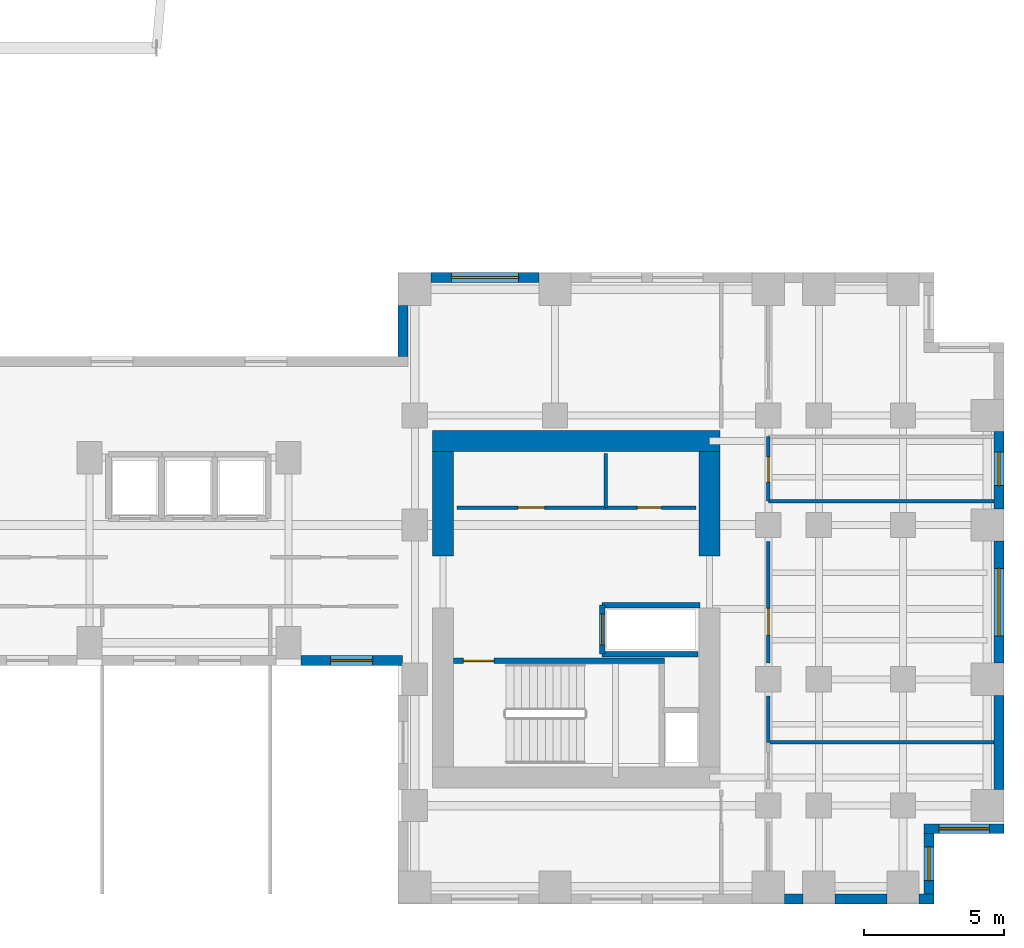
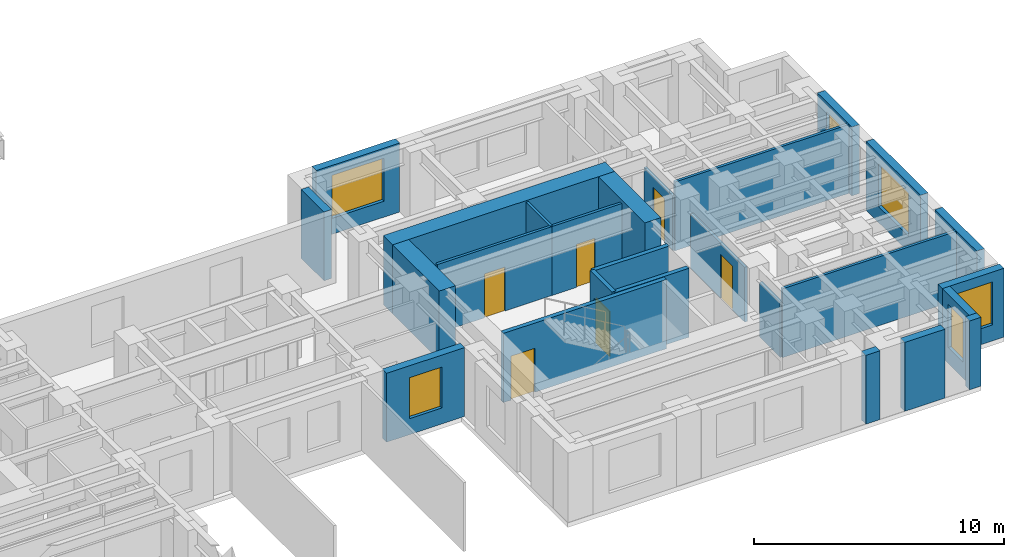
# One storey, part 9 of 13: 26 walls, 6 doors, 6 windows, 12 openings.
"""IFC4 building model written with IfcOpenShell, lengths in metres."""

from ifc_helpers import new_model, si_unit, direction, frame, frame_2d, origin, place, context, subcontext, project, spatial, rectangle, extrude, source, transform, mapped, material, layer, layer_set, type_object, element, fill, save


model = new_model("IFC4")

# Units and contexts
model_context = context("Model", 3, precision=1e-05, world=origin(), true_north=direction((0.0, 1.0)))
body_context = subcontext(model_context, "Body", "Model", "MODEL_VIEW")
ifc_project = project(units=[si_unit("LENGTHUNIT", "METRE"), si_unit("AREAUNIT", "SQUARE_METRE"), si_unit("VOLUMEUNIT", "CUBIC_METRE"), si_unit("PLANEANGLEUNIT", "RADIAN"), si_unit("MASSUNIT", "GRAM", prefix="KILO")], contexts=[model_context])

# Site, building, storey
site_placement = place(None, origin())
site = spatial("IfcSite", under=ifc_project, at=site_placement, CompositionType="ELEMENT")
building_placement = place(site_placement, origin())
building = spatial("IfcBuilding", under=site, at=building_placement, Name="Kharzan Plaza Tower", CompositionType="ELEMENT")
storey_placement = place(building_placement, frame((0.0, 0.0, 109.800048828125)))
storey = spatial("IfcBuildingStorey", under=building, at=storey_placement, Name="L29", CompositionType="ELEMENT", Elevation=109.800048828125)

# Wall, opening, window
ifc_material_1 = material(Name="Concrete C40/50", Category="concrete")
ifc_layer_1 = layer(ifc_material_1, 0.35009765625)
ifc_layer_set_1 = layer_set([ifc_layer_1], Name="Concrete C40/50")
wall_type_1 = type_object("IfcWallType", Name="WL-EXT-MAS-Z2", PredefinedType="SOLIDWALL", material=ifc_layer_set_1)
wall_1_placement = place(storey_placement, frame((30.947998046875, 8.675048828125, 0.0), z_axis=(0.0, 0.0, 1.0), x_axis=(1.0, 0.0, 0.0)))
wall_1 = element("IfcWall", 1, at=wall_1_placement, inside=storey, type_object=wall_type_1, Name="L29 Masonry-Frame Exterior Wall 36", PredefinedType="SOLIDWALL", context=body_context, shape_type="SweptSolid", body=[
    extrude(rectangle(XDim=3.60400390625, YDim=0.35009765625, at=frame_2d((1.802001953125, 0.0))), origin(), (0.0, 0.0, 1.0), 3.364990234375),
])
opening_1_placement = place(wall_1_placement, frame((1.052001953125, 0.0, 0.780029296875)))
opening_1 = element("IfcOpeningElement", 2, at=opening_1_placement, cuts=wall_1, Name="Opening W5", PredefinedType="OPENING", context=body_context, shape_type="SweptSolid", body=[
    extrude(rectangle(XDim=1.5, YDim=2.0, at=frame_2d((0.75, 1.0))), frame((0.0, 0.18505859375, 0.0), z_axis=(0.0, -1.0, 0.0), x_axis=(1.0, 0.0, 0.0)), (0.0, 0.0, 1.0), 0.3701171875),
])
ifc_material_2 = material(Name="Low-E Double Glazing", Category="glass")
window_type_1 = type_object("IfcWindowType", Name="WN-SLT-1500x2000", PartitioningType="SINGLE_PANEL", PredefinedType="WINDOW", material=ifc_material_2)
shared_shape_1 = source(origin(), body_context, "Body", "SweptSolid", [
    extrude(rectangle(XDim=1.5, YDim=2.0, at=frame_2d((0.75, 1.0))), frame((0.0, 0.030029296875, 0.0), z_axis=(0.0, -1.0, 0.0), x_axis=(1.0, 0.0, 0.0)), (0.0, 0.0, 1.0), 0.06005859375),
])
window_1_placement = place(opening_1_placement, origin())
window_1 = element("IfcWindow", 3, at=window_1_placement, inside=storey, type_object=window_type_1, Name="L29 Recessed Solar-Control Window 36-1", OverallHeight=2.0, OverallWidth=1.5, PartitioningType="SINGLE_PANEL", PredefinedType="WINDOW", context=body_context, shape_type="MappedRepresentation", body=[
    mapped(shared_shape_1, transform((0.0, 0.0, 0.0), x_axis=(1.0, 0.0, 0.0), y_axis=(0.0, 1.0, 0.0), z_axis=(0.0, 0.0, 1.0))),
])
fill(opening_1, window_1)

wall_2_placement = place(storey_placement, frame((53.324951171875, 0.347900390625, 0.0), z_axis=(0.0, 0.0, 1.0), x_axis=(0.0, 1.0, 0.0)))
wall_2 = element("IfcWall", 4, at=wall_2_placement, inside=storey, type_object=wall_type_1, Name="L29 Masonry-Frame Exterior Wall 44", PredefinedType="SOLIDWALL", context=body_context, shape_type="SweptSolid", body=[
    extrude(rectangle(XDim=2.154052734375, YDim=0.35009765625, at=frame_2d((1.0771484375, 0.0))), origin(), (0.0, 0.0, 1.0), 3.364990234375),
])
opening_2_placement = place(wall_2_placement, frame((0.47705078125, 0.0, 0.780029296875)))
opening_2 = element("IfcOpeningElement", 5, at=opening_2_placement, cuts=wall_2, Name="Opening W3", PredefinedType="OPENING", context=body_context, shape_type="SweptSolid", body=[
    extrude(rectangle(XDim=1.199951171875, YDim=2.10009765625, at=frame_2d((0.60009765625, 1.050048828125))), frame((0.0, 0.18505859375, 0.0), z_axis=(0.0, -1.0, 0.0), x_axis=(1.0, 0.0, 0.0)), (0.0, 0.0, 1.0), 0.3701171875),
])
window_type_2 = type_object("IfcWindowType", Name="WN-REC-1200x2100", PartitioningType="SINGLE_PANEL", PredefinedType="WINDOW", material=ifc_material_2)
shared_shape_2 = source(origin(), body_context, "Body", "SweptSolid", [
    extrude(rectangle(XDim=1.199951171875, YDim=2.10009765625, at=frame_2d((0.60009765625, 1.050048828125))), frame((0.0, 0.030029296875, 0.0), z_axis=(0.0, -1.0, 0.0), x_axis=(1.0, 0.0, 0.0)), (0.0, 0.0, 1.0), 0.06005859375),
])
window_2_placement = place(opening_2_placement, origin())
window_2 = element("IfcWindow", 6, at=window_2_placement, inside=storey, type_object=window_type_2, Name="L29 Recessed Solar-Control Window 44-1", OverallHeight=2.10009765625, OverallWidth=1.199951171875, PartitioningType="SINGLE_PANEL", PredefinedType="WINDOW", context=body_context, shape_type="MappedRepresentation", body=[
    mapped(shared_shape_2, transform((0.0, 0.0, 0.0), x_axis=(1.0, 0.0, 0.0), y_axis=(0.0, 1.0, 0.0), z_axis=(0.0, 0.0, 1.0))),
])
fill(opening_2, window_2)

wall_3_placement = place(storey_placement, frame((53.14990234375, 2.675048828125, 0.0), z_axis=(0.0, 0.0, 1.0), x_axis=(1.0, 0.0, 0.0)))
wall_3 = element("IfcWall", 7, at=wall_3_placement, inside=storey, type_object=wall_type_1, Name="L29 Masonry-Frame Exterior Wall 45", PredefinedType="SOLIDWALL", context=body_context, shape_type="SweptSolid", body=[
    extrude(rectangle(XDim=2.85009765625, YDim=0.35009765625, at=frame_2d((1.425048828125, 0.0))), origin(), (0.0, 0.0, 1.0), 3.364990234375),
])
opening_3_placement = place(wall_3_placement, frame((0.52490234375, 0.0, 0.780029296875)))
opening_3 = element("IfcOpeningElement", 8, at=opening_3_placement, cuts=wall_3, Name="Opening W1", PredefinedType="OPENING", context=body_context, shape_type="SweptSolid", body=[
    extrude(rectangle(XDim=1.800048828125, YDim=2.10009765625, at=frame_2d((0.89990234375, 1.050048828125))), frame((0.0, 0.18505859375, 0.0), z_axis=(0.0, -1.0, 0.0), x_axis=(1.0, 0.0, 0.0)), (0.0, 0.0, 1.0), 0.3701171875),
])
window_type_3 = type_object("IfcWindowType", Name="WN-REC-1800x2100", PartitioningType="SINGLE_PANEL", PredefinedType="WINDOW", material=ifc_material_2)
shared_shape_3 = source(origin(), body_context, "Body", "SweptSolid", [
    extrude(rectangle(XDim=1.800048828125, YDim=2.10009765625, at=frame_2d((0.89990234375, 1.050048828125))), frame((0.0, 0.030029296875, 0.0), z_axis=(0.0, -1.0, 0.0), x_axis=(1.0, 0.0, 0.0)), (0.0, 0.0, 1.0), 0.06005859375),
])
window_3_placement = place(opening_3_placement, origin())
window_3 = element("IfcWindow", 9, at=window_3_placement, inside=storey, type_object=window_type_3, Name="L29 Recessed Solar-Control Window 45-1", OverallHeight=2.10009765625, OverallWidth=1.800048828125, PartitioningType="SINGLE_PANEL", PredefinedType="WINDOW", context=body_context, shape_type="MappedRepresentation", body=[
    mapped(shared_shape_3, transform((0.0, 0.0, 0.0), x_axis=(1.0, 0.0, 0.0), y_axis=(0.0, 1.0, 0.0), z_axis=(0.0, 0.0, 1.0))),
])
fill(opening_3, window_3)

wall_4_placement = place(storey_placement, frame((55.824951171875, 8.572998046875, 0.0), z_axis=(0.0, 0.0, 1.0), x_axis=(0.0, 1.0, 0.0)))
wall_4 = element("IfcWall", 10, at=wall_4_placement, inside=storey, type_object=wall_type_1, Name="L29 Masonry-Frame Exterior Wall 47", PredefinedType="SOLIDWALL", context=body_context, shape_type="SweptSolid", body=[
    extrude(rectangle(XDim=4.35400390625, YDim=0.35009765625, at=frame_2d((2.177001953125, 0.0))), origin(), (0.0, 0.0, 1.0), 3.364990234375),
])
opening_4_placement = place(wall_4_placement, frame((0.97705078125, 0.0, 0.780029296875)))
opening_4 = element("IfcOpeningElement", 11, at=opening_4_placement, cuts=wall_4, Name="Opening W2", PredefinedType="OPENING", context=body_context, shape_type="SweptSolid", body=[
    extrude(rectangle(XDim=2.39990234375, YDim=2.10009765625, at=frame_2d((1.199951171875, 1.050048828125))), frame((0.0, 0.18505859375, 0.0), z_axis=(0.0, -1.0, 0.0), x_axis=(1.0, 0.0, 0.0)), (0.0, 0.0, 1.0), 0.3701171875),
])
window_type_4 = type_object("IfcWindowType", Name="WN-REC-2400x2100", PartitioningType="SINGLE_PANEL", PredefinedType="WINDOW", material=ifc_material_2)
shared_shape_4 = source(origin(), body_context, "Body", "SweptSolid", [
    extrude(rectangle(XDim=2.39990234375, YDim=2.10009765625, at=frame_2d((1.199951171875, 1.050048828125))), frame((0.0, 0.030029296875, 0.0), z_axis=(0.0, -1.0, 0.0), x_axis=(1.0, 0.0, 0.0)), (0.0, 0.0, 1.0), 0.06005859375),
])
window_4_placement = place(opening_4_placement, origin())
window_4 = element("IfcWindow", 12, at=window_4_placement, inside=storey, type_object=window_type_4, Name="L29 Wide Recessed Solar-Control Window 47-1", OverallHeight=2.10009765625, OverallWidth=2.39990234375, PartitioningType="SINGLE_PANEL", PredefinedType="WINDOW", context=body_context, shape_type="MappedRepresentation", body=[
    mapped(shared_shape_4, transform((0.0, 0.0, 0.0), x_axis=(1.0, 0.0, 0.0), y_axis=(0.0, 1.0, 0.0), z_axis=(0.0, 0.0, 1.0))),
])
fill(opening_4, window_4)

wall_5_placement = place(storey_placement, frame((55.824951171875, 14.072998046875, 0.0), z_axis=(0.0, 0.0, 1.0), x_axis=(0.0, 1.0, 0.0)))
wall_5 = element("IfcWall", 13, at=wall_5_placement, inside=storey, type_object=wall_type_1, Name="L29 Masonry-Frame Exterior Wall 48", PredefinedType="SOLIDWALL", context=body_context, shape_type="SweptSolid", body=[
    extrude(rectangle(XDim=2.75390625, YDim=0.35009765625, at=frame_2d((1.376953125, 0.0))), origin(), (0.0, 0.0, 1.0), 3.364990234375),
])
opening_5_placement = place(wall_5_placement, frame((0.826904296875, 0.0, 0.780029296875)))
opening_5 = element("IfcOpeningElement", 14, at=opening_5_placement, cuts=wall_5, Name="Opening W3", PredefinedType="OPENING", context=body_context, shape_type="SweptSolid", body=[
    extrude(rectangle(XDim=1.199951171875, YDim=2.10009765625, at=frame_2d((0.60009765625, 1.050048828125))), frame((0.0, 0.18505859375, 0.0), z_axis=(0.0, -1.0, 0.0), x_axis=(1.0, 0.0, 0.0)), (0.0, 0.0, 1.0), 0.3701171875),
])
window_5_placement = place(opening_5_placement, origin())
window_5 = element("IfcWindow", 15, at=window_5_placement, inside=storey, type_object=window_type_2, Name="L29 Recessed Solar-Control Window 48-1", OverallHeight=2.10009765625, OverallWidth=1.199951171875, PartitioningType="SINGLE_PANEL", PredefinedType="WINDOW", context=body_context, shape_type="MappedRepresentation", body=[
    mapped(shared_shape_2, transform((0.0, 0.0, 0.0), x_axis=(1.0, 0.0, 0.0), y_axis=(0.0, 1.0, 0.0), z_axis=(0.0, 0.0, 1.0))),
])
fill(opening_5, window_5)

wall_6_placement = place(storey_placement, frame((39.427001953125, 22.324951171875, 0.0), z_axis=(0.0, 0.0, 1.0), x_axis=(-1.0, 0.0, 0.0)))
wall_6 = element("IfcWall", 16, at=wall_6_placement, inside=storey, type_object=wall_type_1, Name="L29 Masonry-Frame Exterior Wall 56", PredefinedType="SOLIDWALL", context=body_context, shape_type="SweptSolid", body=[
    extrude(rectangle(XDim=3.85400390625, YDim=0.35009765625, at=frame_2d((1.927001953125, 0.0))), origin(), (0.0, 0.0, 1.0), 3.364990234375),
])
opening_6_placement = place(wall_6_placement, frame((0.72705078125, 0.0, 0.780029296875)))
opening_6 = element("IfcOpeningElement", 17, at=opening_6_placement, cuts=wall_6, Name="Opening W2", PredefinedType="OPENING", context=body_context, shape_type="SweptSolid", body=[
    extrude(rectangle(XDim=2.39990234375, YDim=2.10009765625, at=frame_2d((1.199951171875, 1.050048828125))), frame((0.0, 0.18505859375, 0.0), z_axis=(0.0, -1.0, 0.0), x_axis=(1.0, 0.0, 0.0)), (0.0, 0.0, 1.0), 0.3701171875),
])
window_6_placement = place(opening_6_placement, origin())
window_6 = element("IfcWindow", 18, at=window_6_placement, inside=storey, type_object=window_type_4, Name="L29 Wide Recessed Solar-Control Window 56-1", OverallHeight=2.10009765625, OverallWidth=2.39990234375, PartitioningType="SINGLE_PANEL", PredefinedType="WINDOW", context=body_context, shape_type="MappedRepresentation", body=[
    mapped(shared_shape_4, transform((0.0, 0.0, 0.0), x_axis=(1.0, 0.0, 0.0), y_axis=(0.0, 1.0, 0.0), z_axis=(0.0, 0.0, 1.0))),
])
fill(opening_6, window_6)

# Wall, opening, door
ifc_material_3 = material(Name="Fire-Rated Gypsum Board Partition", Category="gypsum")
ifc_layer_2 = layer(ifc_material_3, 0.125)
ifc_layer_set_2 = layer_set([ifc_layer_2], Name="Fire-Rated Gypsum Board Partition")
wall_type_2 = type_object("IfcWallType", Name="WL-INT-PART-125", PredefinedType="PARTITIONING", material=ifc_layer_set_2)
wall_7_placement = place(storey_placement, frame((36.5, 14.1201171875, 0.0), z_axis=(0.0, 0.0, 1.0), x_axis=(1.0, 0.0, 0.0)))
wall_7 = element("IfcWall", 19, at=wall_7_placement, inside=storey, type_object=wall_type_2, Name="L29 Interior Partition CB-RBLSA", PredefinedType="PARTITIONING", context=body_context, shape_type="SweptSolid", body=[
    extrude(rectangle(XDim=5.300048828125, YDim=0.125, at=frame_2d((2.64990234375, 0.0))), origin(), (0.0, 0.0, 1.0), 3.364990234375),
])
opening_7_placement = place(wall_7_placement, frame((2.175048828125, 0.0, 0.0)))
opening_7 = element("IfcOpeningElement", 20, at=opening_7_placement, cuts=wall_7, Name="Opening OD1", PredefinedType="OPENING", context=body_context, shape_type="SweptSolid", body=[
    extrude(rectangle(XDim=0.949951171875, YDim=2.14990234375, at=frame_2d((0.47509765625, 1.074951171875))), frame((0.0, 0.072509765625, 0.0), z_axis=(0.0, -1.0, 0.0), x_axis=(1.0, 0.0, 0.0)), (0.0, 0.0, 1.0), 0.14501953125),
])
ifc_material_4 = material(Name="Acoustic Solid-Core Stained Oak", Category="timber")
door_type_1 = type_object("IfcDoorType", Name="DR-OFF-SINGLE", OperationType="NOTDEFINED", PredefinedType="DOOR", material=ifc_material_4)
shared_shape_5 = source(origin(), body_context, "Body", "SweptSolid", [
    extrude(rectangle(XDim=0.949951171875, YDim=2.14990234375, at=frame_2d((0.47509765625, 1.074951171875))), frame((0.0, 0.02490234375, 0.0), z_axis=(0.0, -1.0, 0.0), x_axis=(1.0, 0.0, 0.0)), (0.0, 0.0, 1.0), 0.050048828125),
])
door_1_placement = place(opening_7_placement, origin())
door_1 = element("IfcDoor", 21, at=door_1_placement, inside=storey, type_object=door_type_1, Name="L29 Records Room Door", OperationType="SINGLE_SWING_LEFT", OverallHeight=2.14990234375, OverallWidth=0.949951171875, PredefinedType="DOOR", context=body_context, shape_type="MappedRepresentation", body=[
    mapped(shared_shape_5, transform((0.0, 0.0, 0.0), x_axis=(1.0, 0.0, 0.0), y_axis=(0.0, 1.0, 0.0), z_axis=(0.0, 0.0, 1.0))),
])
fill(opening_7, door_1)

wall_8_placement = place(storey_placement, frame((41.800048828125, 14.1201171875, 0.0), z_axis=(0.0, 0.0, 1.0), x_axis=(1.0, 0.0, 0.0)))
wall_8 = element("IfcWall", 22, at=wall_8_placement, inside=storey, type_object=wall_type_2, Name="L29 Interior Partition CB-RBLSB", PredefinedType="PARTITIONING", context=body_context, shape_type="SweptSolid", body=[
    extrude(rectangle(XDim=3.219970703125, YDim=0.125, at=frame_2d((1.60986328125, 0.0))), origin(), (0.0, 0.0, 1.0), 3.364990234375),
])
opening_8_placement = place(wall_8_placement, frame((1.135009765625, 0.0, 0.0)))
opening_8 = element("IfcOpeningElement", 23, at=opening_8_placement, cuts=wall_8, Name="Opening RD1", PredefinedType="OPENING", context=body_context, shape_type="SweptSolid", body=[
    extrude(rectangle(XDim=0.85009765625, YDim=2.10009765625, at=frame_2d((0.425048828125, 1.050048828125))), frame((0.0, 0.072509765625, 0.0), z_axis=(0.0, -1.0, 0.0), x_axis=(1.0, 0.0, 0.0)), (0.0, 0.0, 1.0), 0.14501953125),
])
ifc_material_5 = material(Name="Powder-Coated Fire-Rated Steel", Category="steel")
door_type_2 = type_object("IfcDoorType", Name="DR-RISER-900", OperationType="NOTDEFINED", PredefinedType="DOOR", material=ifc_material_5)
shared_shape_6 = source(origin(), body_context, "Body", "SweptSolid", [
    extrude(rectangle(XDim=0.85009765625, YDim=2.10009765625, at=frame_2d((0.425048828125, 1.050048828125))), frame((0.0, 0.02490234375, 0.0), z_axis=(0.0, -1.0, 0.0), x_axis=(1.0, 0.0, 0.0)), (0.0, 0.0, 1.0), 0.050048828125),
])
door_2_placement = place(opening_8_placement, origin())
door_2 = element("IfcDoor", 24, at=door_2_placement, inside=storey, type_object=door_type_2, Name="L29 Housekeeping Store Door", OperationType="SINGLE_SWING_RIGHT", OverallHeight=2.10009765625, OverallWidth=0.85009765625, PredefinedType="DOOR", context=body_context, shape_type="MappedRepresentation", body=[
    mapped(shared_shape_6, transform((0.0, 0.0, 0.0), x_axis=(1.0, 0.0, 0.0), y_axis=(0.0, 1.0, 0.0), z_axis=(0.0, 0.0, 1.0))),
])
fill(opening_8, door_2)

wall_9_placement = place(storey_placement, frame((47.60009765625, 8.590087890625, 0.0), z_axis=(0.0, 0.0, 1.0), x_axis=(0.0, 1.0, 0.0)))
wall_9 = element("IfcWall", 25, at=wall_9_placement, inside=storey, type_object=wall_type_2, Name="L29 Interior Partition SH-B3W1-S2", PredefinedType="PARTITIONING", context=body_context, shape_type="SweptSolid", body=[
    extrude(rectangle(XDim=4.31982421875, YDim=0.125, at=frame_2d((2.159912109375, 0.0))), origin(), (0.0, 0.0, 1.0), 2.677001953125),
])
opening_9_placement = place(wall_9_placement, frame((0.985107421875, 0.0, 0.0)))
opening_9 = element("IfcOpeningElement", 26, at=opening_9_placement, cuts=wall_9, Name="Opening OD1", PredefinedType="OPENING", context=body_context, shape_type="SweptSolid", body=[
    extrude(rectangle(XDim=0.949951171875, YDim=2.14990234375, at=frame_2d((0.47509765625, 1.074951171875))), frame((0.0, 0.072509765625, 0.0), z_axis=(0.0, -1.0, 0.0), x_axis=(1.0, 0.0, 0.0)), (0.0, 0.0, 1.0), 0.14501953125),
])
door_3_placement = place(opening_9_placement, origin())
door_3 = element("IfcDoor", 27, at=door_3_placement, inside=storey, type_object=door_type_1, Name="L29 Wing B Office 2 Door", OperationType="SINGLE_SWING_RIGHT", OverallHeight=2.14990234375, OverallWidth=0.949951171875, PredefinedType="DOOR", context=body_context, shape_type="MappedRepresentation", body=[
    mapped(shared_shape_5, transform((0.0, 0.0, 0.0), x_axis=(1.0, 0.0, 0.0), y_axis=(0.0, 1.0, 0.0), z_axis=(0.0, 0.0, 1.0))),
])
fill(opening_9, door_3)

wall_10_placement = place(storey_placement, frame((47.60009765625, 14.35009765625, 0.0), z_axis=(0.0, 0.0, 1.0), x_axis=(0.0, 1.0, 0.0)))
wall_10 = element("IfcWall", 28, at=wall_10_placement, inside=storey, type_object=wall_type_2, Name="L29 Interior Partition SH-B3WC", PredefinedType="PARTITIONING", context=body_context, shape_type="SweptSolid", body=[
    extrude(rectangle(XDim=2.2998046875, YDim=0.125, at=frame_2d((1.14990234375, 0.0))), origin(), (0.0, 0.0, 1.0), 2.677001953125),
])
opening_10_placement = place(wall_10_placement, frame((0.675048828125, 0.0, 0.0)))
opening_10 = element("IfcOpeningElement", 29, at=opening_10_placement, cuts=wall_10, Name="Opening WD1", PredefinedType="OPENING", context=body_context, shape_type="SweptSolid", body=[
    extrude(rectangle(XDim=0.89990234375, YDim=2.14990234375, at=frame_2d((0.449951171875, 1.074951171875))), frame((0.0, 0.072509765625, 0.0), z_axis=(0.0, -1.0, 0.0), x_axis=(1.0, 0.0, 0.0)), (0.0, 0.0, 1.0), 0.14501953125),
])
ifc_material_6 = material(Name="Moisture-Resistant Fire-Rated Laminate", Category="timber")
door_type_3 = type_object("IfcDoorType", Name="DR-WC-900", OperationType="NOTDEFINED", PredefinedType="DOOR", material=ifc_material_6)
shared_shape_7 = source(origin(), body_context, "Body", "SweptSolid", [
    extrude(rectangle(XDim=0.89990234375, YDim=2.14990234375, at=frame_2d((0.449951171875, 1.074951171875))), frame((0.0, 0.02490234375, 0.0), z_axis=(0.0, -1.0, 0.0), x_axis=(1.0, 0.0, 0.0)), (0.0, 0.0, 1.0), 0.050048828125),
])
door_4_placement = place(opening_10_placement, origin())
door_4 = element("IfcDoor", 30, at=door_4_placement, inside=storey, type_object=door_type_3, Name="L29 Wing B Washroom Door", OperationType="SINGLE_SWING_LEFT", OverallHeight=2.14990234375, OverallWidth=0.89990234375, PredefinedType="DOOR", context=body_context, shape_type="MappedRepresentation", body=[
    mapped(shared_shape_7, transform((0.0, 0.0, 0.0), x_axis=(1.0, 0.0, 0.0), y_axis=(0.0, 1.0, 0.0), z_axis=(0.0, 0.0, 1.0))),
])
fill(opening_10, door_4)

ifc_layer_3 = layer(ifc_material_1, 0.199951171875)
ifc_layer_set_3 = layer_set([ifc_layer_3], Name="Concrete C40/50")
wall_type_3 = type_object("IfcWallType", Name="WL-INT-SHAFT-200", PredefinedType="PARTITIONING", material=ifc_layer_set_3)
wall_11_placement = place(storey_placement, frame((41.679931640625, 8.89990234375, 0.0), z_axis=(0.0, 0.0, 1.0), x_axis=(0.0, 1.0, 0.0)))
wall_11 = element("IfcWall", 31, at=wall_11_placement, inside=storey, type_object=wall_type_3, Name="L29 Interior Partition SHF-SVL-2-W", PredefinedType="PARTITIONING", context=body_context, shape_type="SweptSolid", body=[
    extrude(rectangle(XDim=1.739990234375, YDim=0.199951171875, at=frame_2d((0.8701171875, 0.0))), origin(), (0.0, 0.0, 1.0), 3.364990234375),
])
opening_11_placement = place(wall_11_placement, frame((0.320068359375, 0.0, 0.0)))
opening_11 = element("IfcOpeningElement", 32, at=opening_11_placement, cuts=wall_11, Name="Opening LD", PredefinedType="OPENING", context=body_context, shape_type="SweptSolid", body=[
    extrude(rectangle(XDim=1.10009765625, YDim=2.199951171875, at=frame_2d((0.550048828125, 1.10009765625))), frame((0.0, 0.10986328125, 0.0), z_axis=(0.0, -1.0, 0.0), x_axis=(1.0, 0.0, 0.0)), (0.0, 0.0, 1.0), 0.219970703125),
])
ifc_material_7 = material(Name="Brushed Stainless Steel", Category="steel")
door_type_4 = type_object("IfcDoorType", Name="DR-LIFT-SLIDE", OperationType="SLIDING_TO_LEFT", PredefinedType="DOOR", material=ifc_material_7)
shared_shape_8 = source(origin(), body_context, "Body", "SweptSolid", [
    extrude(rectangle(XDim=1.10009765625, YDim=2.199951171875, at=frame_2d((0.550048828125, 1.10009765625))), frame((0.0, 0.02490234375, 0.0), z_axis=(0.0, -1.0, 0.0), x_axis=(1.0, 0.0, 0.0)), (0.0, 0.0, 1.0), 0.050048828125),
])
door_5_placement = place(opening_11_placement, origin())
door_5 = element("IfcDoor", 33, at=door_5_placement, inside=storey, type_object=door_type_4, Name="L29 Service Lift SVL-2 Sliding Landing Door", OperationType="SLIDING_TO_LEFT", OverallHeight=2.199951171875, OverallWidth=1.10009765625, PredefinedType="DOOR", context=body_context, shape_type="MappedRepresentation", body=[
    mapped(shared_shape_8, transform((0.0, 0.0, 0.0), x_axis=(1.0, 0.0, 0.0), y_axis=(0.0, 1.0, 0.0), z_axis=(0.0, 0.0, 1.0))),
])
fill(opening_11, door_5)

ifc_material_8 = material(Name="Concrete C50/60", Category="concrete")
ifc_layer_4 = layer(ifc_material_8, 0.199951171875)
ifc_layer_set_4 = layer_set([ifc_layer_4], Name="Concrete C50/60")
wall_type_4 = type_object("IfcWallType", Name="WL-SHAFT-RC200", PredefinedType="SHEAR", material=ifc_layer_set_4)
wall_12_placement = place(storey_placement, frame((36.376953125, 8.655029296875, 0.0), z_axis=(0.0, 0.0, 1.0), x_axis=(1.0, 0.0, 0.0)))
wall_12 = element("IfcWall", 34, at=wall_12_placement, inside=storey, type_object=wall_type_4, Name="L29 Stair ST-3 North RC Shaft Wall", PredefinedType="SHEAR", context=body_context, shape_type="SweptSolid", body=[
    extrude(rectangle(XDim=7.528076171875, YDim=0.199951171875, at=frame_2d((3.76416015625, 0.0))), origin(), (0.0, 0.0, 1.0), 3.3798828125),
])
opening_12_placement = place(wall_12_placement, frame((0.35009765625, 0.0, 0.0)))
opening_12 = element("IfcOpeningElement", 35, at=opening_12_placement, cuts=wall_12, Name="Opening SD1", PredefinedType="OPENING", context=body_context, shape_type="SweptSolid", body=[
    extrude(rectangle(XDim=1.10009765625, YDim=2.14990234375, at=frame_2d((0.550048828125, 1.074951171875))), frame((0.0, 0.10986328125, 0.0), z_axis=(0.0, -1.0, 0.0), x_axis=(1.0, 0.0, 0.0)), (0.0, 0.0, 1.0), 0.219970703125),
])
ifc_material_9 = material(Name="Fire-Rated Hollow Galvanized Steel", Category="steel")
door_type_5 = type_object("IfcDoorType", Name="DR-STAIR-FD120", OperationType="NOTDEFINED", PredefinedType="DOOR", material=ifc_material_9)
shared_shape_9 = source(origin(), body_context, "Body", "SweptSolid", [
    extrude(rectangle(XDim=1.10009765625, YDim=2.14990234375, at=frame_2d((0.550048828125, 1.074951171875))), frame((0.0, 0.02490234375, 0.0), z_axis=(0.0, -1.0, 0.0), x_axis=(1.0, 0.0, 0.0)), (0.0, 0.0, 1.0), 0.050048828125),
])
door_6_placement = place(opening_12_placement, origin())
door_6 = element("IfcDoor", 36, at=door_6_placement, inside=storey, type_object=door_type_5, Name="L29 Stair ST-3 Fire Exit Door", OperationType="SINGLE_SWING_RIGHT", OverallHeight=2.14990234375, OverallWidth=1.10009765625, PredefinedType="DOOR", context=body_context, shape_type="MappedRepresentation", body=[
    mapped(shared_shape_9, transform((0.0, 0.0, 0.0), x_axis=(1.0, 0.0, 0.0), y_axis=(0.0, 1.0, 0.0), z_axis=(0.0, 0.0, 1.0))),
])
fill(opening_12, door_6)

# Walls
shared_shape_10 = source(origin(), body_context, "Body", "SweptSolid", [
    extrude(rectangle(XDim=3.489990234375, YDim=0.199951171875, at=frame_2d((1.7451171875, 0.0))), origin(), (0.0, 0.0, 1.0), 3.364990234375),
])
wall_13_placement = place(storey_placement, frame((41.679931640625, 10.639892578125, 0.0), z_axis=(0.0, 0.0, 1.0), x_axis=(1.0, 0.0, 0.0)))
element("IfcWall", 37, at=wall_13_placement, inside=storey, type_object=wall_type_3, Name="L29 Interior Partition SHF-SVL-2-N", PredefinedType="PARTITIONING", context=body_context, shape_type="MappedRepresentation", body=[
    mapped(shared_shape_10, transform((0.0, 0.0, 0.0), x_axis=(1.0, 0.0, 0.0), y_axis=(0.0, 1.0, 0.0), z_axis=(0.0, 0.0, 1.0))),
])
shared_shape_11 = source(origin(), body_context, "Body", "SweptSolid", [
    extrude(rectangle(XDim=0.65380859375, YDim=0.35009765625, at=frame_2d((0.326904296875, 0.0))), origin(), (0.0, 0.0, 1.0), 3.364990234375),
])
wall_14_placement = place(storey_placement, frame((48.173095703125, 0.175048828125, 0.0), z_axis=(0.0, 0.0, 1.0), x_axis=(1.0, 0.0, 0.0)))
element("IfcWall", 38, at=wall_14_placement, inside=storey, type_object=wall_type_1, Name="L29 Masonry-Frame Exterior Wall 41", PredefinedType="SOLIDWALL", context=body_context, shape_type="MappedRepresentation", body=[
    mapped(shared_shape_11, transform((0.0, 0.0, 0.0), x_axis=(1.0, 0.0, 0.0), y_axis=(0.0, 1.0, 0.0), z_axis=(0.0, 0.0, 1.0))),
])
shared_shape_12 = source(origin(), body_context, "Body", "SweptSolid", [
    extrude(rectangle(XDim=1.85400390625, YDim=0.35009765625, at=frame_2d((0.927001953125, 0.0))), origin(), (0.0, 0.0, 1.0), 3.364990234375),
])
wall_15_placement = place(storey_placement, frame((49.972900390625, 0.175048828125, 0.0), z_axis=(0.0, 0.0, 1.0), x_axis=(1.0, 0.0, 0.0)))
element("IfcWall", 39, at=wall_15_placement, inside=storey, type_object=wall_type_1, Name="L29 Masonry-Frame Exterior Wall 42", PredefinedType="SOLIDWALL", context=body_context, shape_type="MappedRepresentation", body=[
    mapped(shared_shape_12, transform((0.0, 0.0, 0.0), x_axis=(1.0, 0.0, 0.0), y_axis=(0.0, 1.0, 0.0), z_axis=(0.0, 0.0, 1.0))),
])
shared_shape_13 = source(origin(), body_context, "Body", "SweptSolid", [
    extrude(rectangle(XDim=0.527099609375, YDim=0.35009765625, at=frame_2d((0.263671875, 0.0))), origin(), (0.0, 0.0, 1.0), 3.364990234375),
])
wall_16_placement = place(storey_placement, frame((52.972900390625, 0.175048828125, 0.0), z_axis=(0.0, 0.0, 1.0), x_axis=(1.0, 0.0, 0.0)))
element("IfcWall", 40, at=wall_16_placement, inside=storey, type_object=wall_type_1, Name="L29 Masonry-Frame Exterior Wall 43", PredefinedType="SOLIDWALL", context=body_context, shape_type="MappedRepresentation", body=[
    mapped(shared_shape_13, transform((0.0, 0.0, 0.0), x_axis=(1.0, 0.0, 0.0), y_axis=(0.0, 1.0, 0.0), z_axis=(0.0, 0.0, 1.0))),
])
shared_shape_14 = source(origin(), body_context, "Body", "SweptSolid", [
    extrude(rectangle(XDim=3.35400390625, YDim=0.35009765625, at=frame_2d((1.677001953125, 0.0))), origin(), (0.0, 0.0, 1.0), 3.364990234375),
])
wall_17_placement = place(storey_placement, frame((55.824951171875, 4.072998046875, 0.0), z_axis=(0.0, 0.0, 1.0), x_axis=(0.0, 1.0, 0.0)))
element("IfcWall", 41, at=wall_17_placement, inside=storey, type_object=wall_type_1, Name="L29 Masonry-Frame Exterior Wall 46", PredefinedType="SOLIDWALL", context=body_context, shape_type="MappedRepresentation", body=[
    mapped(shared_shape_14, transform((0.0, 0.0, 0.0), x_axis=(1.0, 0.0, 0.0), y_axis=(0.0, 1.0, 0.0), z_axis=(0.0, 0.0, 1.0))),
])
shared_shape_15 = source(origin(), body_context, "Body", "SweptSolid", [
    extrude(rectangle(XDim=8.0478515625, YDim=0.125, at=frame_2d((4.02392578125, 0.0))), origin(), (0.0, 0.0, 1.0), 3.364990234375),
])
for number, where, z_axis, x_axis, name in (
    (42, (47.60009765625, 14.35009765625, 0.0), (0.0, 0.0, 1.0), (1.0, 0.0, 0.0), "L29 Interior Partition SH-B3H-143"),
    (43, (47.60009765625, 5.75, 0.0), (0.0, 0.0, 1.0), (1.0, 0.0, 0.0), "L29 Interior Partition SH-B3H-57"),
):
    element("IfcWall", number, at=place(storey_placement, frame(where, z_axis=z_axis, x_axis=x_axis)), inside=storey, type_object=wall_type_2, Name=name, PredefinedType="PARTITIONING", context=body_context, shape_type="MappedRepresentation", body=[
        mapped(shared_shape_15, transform((0.0, 0.0, 0.0), x_axis=(1.0, 0.0, 0.0), y_axis=(0.0, 1.0, 0.0), z_axis=(0.0, 0.0, 1.0))),
    ])
shared_shape_16 = source(origin(), body_context, "Body", "SweptSolid", [
    extrude(rectangle(XDim=3.4150390625, YDim=0.199951171875, at=frame_2d((1.70751953125, 0.0))), origin(), (0.0, 0.0, 1.0), 3.364990234375),
])
wall_18_placement = place(storey_placement, frame((41.679931640625, 8.89990234375, 0.0), z_axis=(0.0, 0.0, 1.0), x_axis=(1.0, 0.0, 0.0)))
element("IfcWall", 44, at=wall_18_placement, inside=storey, type_object=wall_type_3, Name="L29 Interior Partition SHF-SVL-2-S", PredefinedType="PARTITIONING", context=body_context, shape_type="MappedRepresentation", body=[
    mapped(shared_shape_16, transform((0.0, 0.0, 0.0), x_axis=(1.0, 0.0, 0.0), y_axis=(0.0, 1.0, 0.0), z_axis=(0.0, 0.0, 1.0))),
])
ifc_material_10 = material(Name="Concrete C60/75", Category="concrete")
ifc_layer_5 = layer(ifc_material_10, 0.75)
ifc_layer_set_5 = layer_set([ifc_layer_5], Name="Concrete C60/75")
wall_type_5 = type_object("IfcWallType", Name="WL-CORE-750", PredefinedType="SHEAR", material=ifc_layer_set_5)
shared_shape_17 = source(origin(), body_context, "Body", "SweptSolid", [
    extrude(rectangle(XDim=3.72509765625, YDim=0.75, at=frame_2d((1.862548828125, 0.0))), origin(), (0.0, 0.0, 1.0), 3.3798828125),
])
for number, where, z_axis, x_axis, name in (
    (45, (45.5, 12.39990234375, 0.0), (0.0, 0.0, 1.0), (0.0, 1.0, 0.0), "L29 CORE-B east shear pier 2"),
    (46, (36.0, 12.39990234375, 0.0), (0.0, 0.0, 1.0), (0.0, 1.0, 0.0), "L29 CORE-B west shear pier 2"),
):
    element("IfcWall", number, at=place(storey_placement, frame(where, z_axis=z_axis, x_axis=x_axis)), inside=storey, type_object=wall_type_5, Name=name, PredefinedType="SHEAR", context=body_context, shape_type="MappedRepresentation", body=[
        mapped(shared_shape_17, transform((0.0, 0.0, 0.0), x_axis=(1.0, 0.0, 0.0), y_axis=(0.0, 1.0, 0.0), z_axis=(0.0, 0.0, 1.0))),
    ])
shared_shape_18 = source(origin(), body_context, "Body", "SweptSolid", [
    extrude(rectangle(XDim=10.25, YDim=0.75, at=frame_2d((5.125, 0.0))), origin(), (0.0, 0.0, 1.0), 3.3798828125),
])
wall_19_placement = place(storey_placement, frame((35.625, 16.5, 0.0), z_axis=(0.0, 0.0, 1.0), x_axis=(1.0, 0.0, 0.0)))
element("IfcWall", 47, at=wall_19_placement, inside=storey, type_object=wall_type_5, Name="L29 CORE-B north RC shear wall", PredefinedType="SHEAR", context=body_context, shape_type="MappedRepresentation", body=[
    mapped(shared_shape_18, transform((0.0, 0.0, 0.0), x_axis=(1.0, 0.0, 0.0), y_axis=(0.0, 1.0, 0.0), z_axis=(0.0, 0.0, 1.0))),
])
shared_shape_19 = source(origin(), body_context, "Body", "SweptSolid", [
    extrude(rectangle(XDim=1.929931640625, YDim=0.125, at=frame_2d((0.96484375, 0.0))), origin(), (0.0, 0.0, 1.0), 3.364990234375),
])
wall_20_placement = place(storey_placement, frame((41.800048828125, 14.1201171875, 0.0), z_axis=(0.0, 0.0, 1.0), x_axis=(0.0, 1.0, 0.0)))
element("IfcWall", 48, at=wall_20_placement, inside=storey, type_object=wall_type_2, Name="L29 Interior Partition CB-RBLM2", PredefinedType="PARTITIONING", context=body_context, shape_type="MappedRepresentation", body=[
    mapped(shared_shape_19, transform((0.0, 0.0, 0.0), x_axis=(1.0, 0.0, 0.0), y_axis=(0.0, 1.0, 0.0), z_axis=(0.0, 0.0, 1.0))),
])
shared_shape_20 = source(origin(), body_context, "Body", "SweptSolid", [
    extrude(rectangle(XDim=1.659912109375, YDim=0.125, at=frame_2d((0.830078125, 0.0))), origin(), (0.0, 0.0, 1.0), 2.677001953125),
])
wall_21_placement = place(storey_placement, frame((47.60009765625, 5.75, 0.0), z_axis=(0.0, 0.0, 1.0), x_axis=(0.0, 1.0, 0.0)))
element("IfcWall", 49, at=wall_21_placement, inside=storey, type_object=wall_type_2, Name="L29 Interior Partition SH-B3W1-S1", PredefinedType="PARTITIONING", context=body_context, shape_type="MappedRepresentation", body=[
    mapped(shared_shape_20, transform((0.0, 0.0, 0.0), x_axis=(1.0, 0.0, 0.0), y_axis=(0.0, 1.0, 0.0), z_axis=(0.0, 0.0, 1.0))),
])
shared_shape_21 = source(origin(), body_context, "Body", "SweptSolid", [
    extrude(rectangle(XDim=1.828857421875, YDim=0.35009765625, at=frame_2d((0.91455078125, 0.0))), origin(), (0.0, 0.0, 1.0), 3.364990234375),
])
wall_22_placement = place(storey_placement, frame((34.574951171875, 21.326904296875, 0.0), z_axis=(0.0, 0.0, 1.0), x_axis=(0.0, -1.0, 0.0)))
element("IfcWall", 50, at=wall_22_placement, inside=storey, type_object=wall_type_1, Name="L29 Masonry-Frame Exterior Wall 57", PredefinedType="SOLIDWALL", context=body_context, shape_type="MappedRepresentation", body=[
    mapped(shared_shape_21, transform((0.0, 0.0, 0.0), x_axis=(1.0, 0.0, 0.0), y_axis=(0.0, 1.0, 0.0), z_axis=(0.0, 0.0, 1.0))),
])

save(model, "model.ifc")
